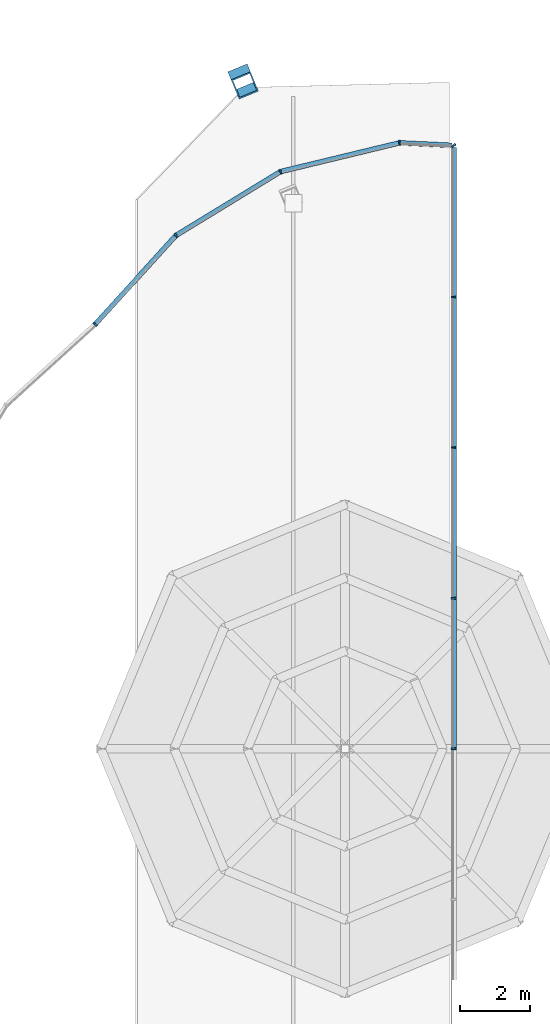
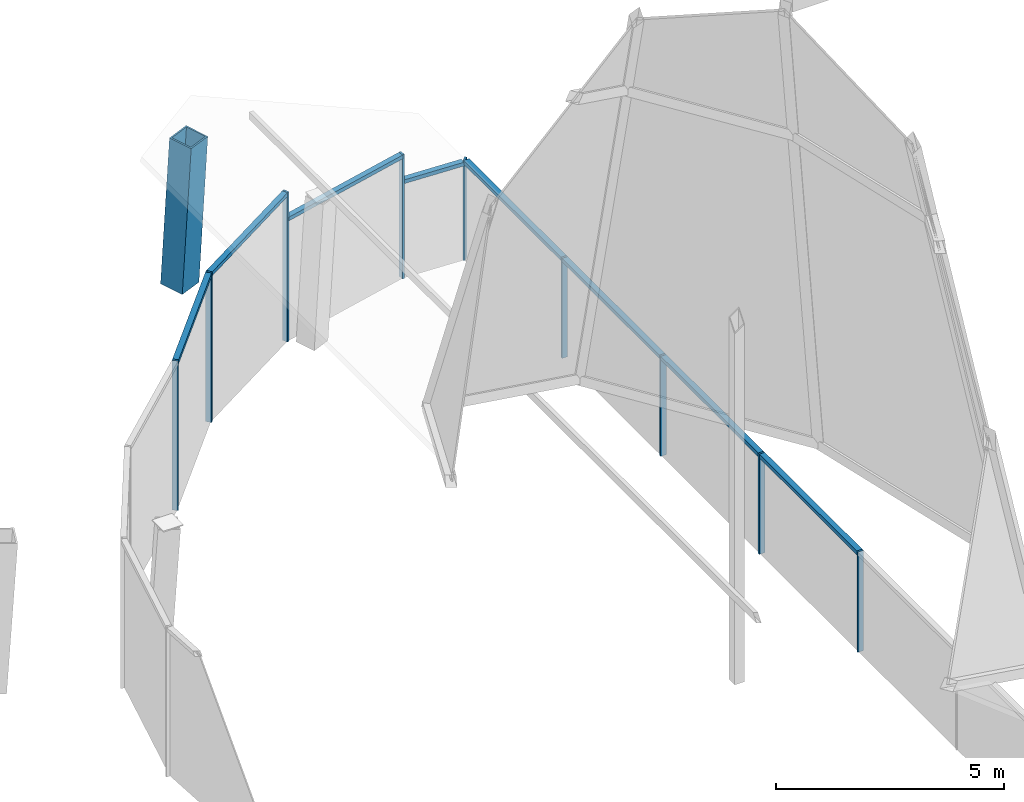
# One storey, part 11 of 16: 18 members, 1 element without a shape of its own.
"""IFC4 building model written with IfcOpenShell, lengths in metres."""

import ifcopenshell
import ifcopenshell.guid

model = None  # the IFC model being written
_history = None  # IfcOwnerHistory: only IFC2X3 demands one
_inside = {}  # id of a spatial element -> (the spatial element, [elements in it])
_under = {}  # id of a project, library or spatial element -> (it, [spatial elements below it])
_declared = {}  # id of a project -> (the project, [libraries it declares])
_typed = {}  # id of a type object -> (the type object, [elements of that type])
_made_of = {}  # id of a material, layer set ... -> (it, [elements and type objects made of it])


def new_model(schema):
    """Start an empty IFC model of exactly this schema.

    Asked for "IFC4X3", IfcOpenShell would pick the latest addendum, in which some entities
    have other attributes; the version numbers below select the first issue.
    IFC2X3 requires an IfcOwnerHistory on every rooted entity: one is made here for all.
    """
    global model, _history
    if schema == "IFC4X3":
        model = ifcopenshell.file(schema_version=(4, 3, 0, 0))
    else:
        model = ifcopenshell.file(schema=schema)
    _inside.clear()
    _under.clear()
    _declared.clear()
    _typed.clear()
    _made_of.clear()
    _history = None
    if model.schema == "IFC2X3":
        org = make("IfcOrganization", Name="unknown")
        user = make(
            "IfcPersonAndOrganization",
            ThePerson=make("IfcPerson", FamilyName="unknown"),
            TheOrganization=org,
        )
        app = make(
            "IfcApplication",
            ApplicationDeveloper=org,
            Version="unknown",
            ApplicationFullName="unknown",
            ApplicationIdentifier="unknown",
        )
        _history = make(
            "IfcOwnerHistory",
            OwningUser=user,
            OwningApplication=app,
            ChangeAction="ADDED",
            CreationDate=0,
        )
    return model


def make(cls, **values):
    """One entity of the class cls with the attributes given. An attribute that is None is left unset."""
    return model.create_entity(
        cls, **{name: value for name, value in values.items() if value is not None}
    )


def rooted(cls, **values):
    """An entity with a GlobalId (a new one), such as an element, a storey or a relation."""
    return make(cls, GlobalId=ifcopenshell.guid.new(), OwnerHistory=_history, **values)


def si_unit(unit_type, name, prefix=None):
    """IfcSIUnit, for example si_unit("LENGTHUNIT", "METRE", prefix="MILLI")."""
    return make("IfcSIUnit", UnitType=unit_type, Prefix=prefix, Name=name)


def assignment(units):
    """IfcUnitAssignment: the units of a project."""
    return None if units is None else make("IfcUnitAssignment", Units=units)


def point(xyz):
    """IfcCartesianPoint."""
    return None if xyz is None else make("IfcCartesianPoint", Coordinates=xyz)


def direction(xyz):
    """IfcDirection."""
    return None if xyz is None else make("IfcDirection", DirectionRatios=xyz)


def frame(location, z_axis=None, x_axis=None):
    """IfcAxis2Placement3D, a coordinate frame: its origin and axes. An axis left out is left unset."""
    return make(
        "IfcAxis2Placement3D",
        Location=point(location),
        Axis=direction(z_axis),
        RefDirection=direction(x_axis),
    )


def frame_2d(location, x_axis=None):
    """IfcAxis2Placement2D, a coordinate frame in the plane: its origin and x axis."""
    return make(
        "IfcAxis2Placement2D", Location=point(location), RefDirection=direction(x_axis)
    )


def origin():
    """The frame at (0, 0, 0) with its axes left unset."""
    return frame((0.0, 0.0, 0.0))


def origin_2d():
    """The frame at (0, 0) in the plane with its x axis left unset."""
    return frame_2d((0.0, 0.0))


def place(relative_to, where):
    """IfcLocalPlacement: puts the frame where relative to a parent placement (None: the world)."""
    return make(
        "IfcLocalPlacement", PlacementRelTo=relative_to, RelativePlacement=where
    )


def context(
    kind, dimensions, precision=None, world=None, true_north=None, identifier=None
):
    """IfcGeometricRepresentationContext, for example the 3D "Model" context."""
    return make(
        "IfcGeometricRepresentationContext",
        ContextIdentifier=identifier,
        ContextType=kind,
        CoordinateSpaceDimension=dimensions,
        Precision=precision,
        WorldCoordinateSystem=world,
        TrueNorth=true_north,
    )


def subcontext(parent, identifier, kind, view, scale=None):
    """IfcGeometricRepresentationSubContext, for example "Body" below "Model"."""
    return make(
        "IfcGeometricRepresentationSubContext",
        ContextIdentifier=identifier,
        ContextType=kind,
        ParentContext=parent,
        TargetScale=scale,
        TargetView=view,
    )


def project(units=None, contexts=None):
    """IfcProject with its units and contexts."""
    return rooted(
        "IfcProject",
        Name="project",
        RepresentationContexts=contexts,
        UnitsInContext=assignment(units),
    )


def spatial(cls, under=None, at=None, **own):
    """A site, building, storey or space (cls), placed at a placement, below another one or the project."""
    s = rooted(cls, ObjectPlacement=at, **own)
    if under is not None:
        _under.setdefault(under.id(), (under, []))[1].append(s)
    return s


def profile(cls, at=None, kind="AREA", **sizes):
    """A parametric profile (cls). Its sizes go by their IFC names, for example OverallWidth=200.0."""
    return make(cls, ProfileType=kind, Position=at, **sizes)


def rectangle(**sizes):
    """IfcRectangleProfileDef."""
    return profile("IfcRectangleProfileDef", **sizes)


def hollow_rectangle(**sizes):
    """IfcRectangleHollowProfileDef."""
    return profile("IfcRectangleHollowProfileDef", **sizes)


def extrude(swept, where, along, depth):
    """IfcExtrudedAreaSolid: the profile swept, set in the frame where, extruded along a direction by depth."""
    return make(
        "IfcExtrudedAreaSolid",
        SweptArea=swept,
        Position=where,
        ExtrudedDirection=direction(along),
        Depth=depth,
    )


def shape(context_of_items, identifier, shape_type, items):
    """IfcShapeRepresentation: the items that make up one representation, for example the "Body"."""
    return make(
        "IfcShapeRepresentation",
        ContextOfItems=context_of_items,
        RepresentationIdentifier=identifier,
        RepresentationType=shape_type,
        Items=items,
    )


def material(Name=None, Category=None):
    """IfcMaterial."""
    return make("IfcMaterial", Name=Name, Category=Category)


def material_profile(
    of_material, cross_section, Name=None, Category=None, Priority=None
):
    """IfcMaterialProfile: a cross section and its material."""
    return make(
        "IfcMaterialProfile",
        Name=Name,
        Material=of_material,
        Profile=cross_section,
        Priority=Priority,
        Category=Category,
    )


def profile_set(profiles, Name=None, composite=None):
    """IfcMaterialProfileSet."""
    return make(
        "IfcMaterialProfileSet",
        Name=Name,
        MaterialProfiles=profiles,
        CompositeProfile=composite,
    )


def made_of(thing, what):
    """Note that an element or type object is made of a material, layer set ...; save() writes the relation."""
    if what is not None:
        _made_of.setdefault(what.id(), (what, []))[1].append(thing)
    return thing


def type_object(cls, material=None, **own):
    """A type object (cls), such as IfcWallType, which elements share."""
    return made_of(rooted(cls, **own), material)


def element(
    cls,
    number,
    at=None,
    inside=None,
    cuts=None,
    type_object=None,
    material=None,
    context=None,
    identifier="Body",
    shape_type=None,
    held_by="IfcProductDefinitionShape",
    body=None,
    shapes=None,
    **own,
):
    """One element of the class cls, such as IfcWall. Its Tag is "e" and its number.

    at: its placement. inside: the storey or other place that contains it. cuts: it is an
    opening in that element (IfcRelVoidsElement). A single representation is given by context,
    identifier, shape_type and body (its items); several are given by shapes. held_by: the class
    of the entity that holds the representations. save() writes the other relations.
    """
    e = rooted(cls, Tag="e%d" % number, ObjectPlacement=at, **own)
    if body is not None:
        shapes = [shape(context, identifier, shape_type, body)]
    if shapes is not None:
        e.Representation = make(held_by, Representations=shapes)
    if inside is not None:
        _inside.setdefault(inside.id(), (inside, []))[1].append(e)
    if cuts is not None:
        rooted(
            "IfcRelVoidsElement", RelatingBuildingElement=cuts, RelatedOpeningElement=e
        )
    if type_object is not None:
        _typed.setdefault(type_object.id(), (type_object, []))[1].append(e)
    return made_of(e, material)


def aggregate(whole, parts):
    """IfcRelAggregates: a whole, such as a stair, and the parts it consists of."""
    return rooted("IfcRelAggregates", RelatingObject=whole, RelatedObjects=parts)


def save(model, path):
    """Write the relations noted so far, then the file.

    IfcRelAggregates (storeys below a building ...), IfcRelContainedInSpatialStructure (elements
    in a storey), IfcRelDefinesByType, IfcRelAssociatesMaterial and IfcRelDeclares: one each for
    every whole, place, type object, material and project.
    """
    for whole, parts in _under.values():
        aggregate(whole, parts)
    for where, things in _inside.values():
        rooted(
            "IfcRelContainedInSpatialStructure",
            RelatedElements=things,
            RelatingStructure=where,
        )
    for kind, things in _typed.values():
        rooted("IfcRelDefinesByType", RelatedObjects=things, RelatingType=kind)
    for what, things in _made_of.values():
        rooted("IfcRelAssociatesMaterial", RelatedObjects=things, RelatingMaterial=what)
    for by, libraries in _declared.values():
        rooted("IfcRelDeclares", RelatingContext=by, RelatedDefinitions=libraries)
    model.write(path)


model = new_model("IFC4")

# Units and contexts
model_context = context("Model", 3, precision=1e-05, world=origin(), true_north=direction((0.0, 1.0)))
body_context = subcontext(model_context, "Body", "Model", "MODEL_VIEW")
ifc_project = project(units=[si_unit("LENGTHUNIT", "METRE"), si_unit("AREAUNIT", "SQUARE_METRE"), si_unit("VOLUMEUNIT", "CUBIC_METRE"), si_unit("PLANEANGLEUNIT", "RADIAN"), si_unit("MASSUNIT", "GRAM", prefix="KILO")], contexts=[model_context])

# Site, building, storey
site_placement = place(None, origin())
site = spatial("IfcSite", under=ifc_project, at=site_placement, CompositionType="ELEMENT")
building_placement = place(site_placement, origin())
building = spatial("IfcBuilding", under=site, at=building_placement, Name="Ogive Gate Towers", CompositionType="ELEMENT")
storey_placement = place(building_placement, frame((0.0, 0.0, 310.0)))
storey = spatial("IfcBuildingStorey", under=building, at=storey_placement, Name="L73", CompositionType="ELEMENT", Elevation=310.0)

# Curtain wall, members
ifc_material_1 = material(Name="Pale metal aluminium", Category="aluminium")
curtain_wall_type = type_object("IfcCurtainWallType", Name="Crown lean wall", PredefinedType="NOTDEFINED", material=ifc_material_1)
curtain_wall_placement = place(storey_placement, origin())
curtain_wall = element("IfcCurtainWall", 1, at=curtain_wall_placement, inside=storey, type_object=curtain_wall_type, Name="CW5 T2 ECW01", PredefinedType="NOTDEFINED")
ifc_material_profile_1 = material_profile(ifc_material_1, rectangle(XDim=0.139892578125, YDim=0.050048828125, at=origin_2d()), Name="50 x 140 aluminium box")
ifc_profile_set_1 = profile_set([ifc_material_profile_1], Name="Pale metal aluminium")
member_type_1 = type_object("IfcMemberType", Name="Crown lean wall mullion 50 x 140", PredefinedType="MULLION", material=ifc_profile_set_1)
member_1_placement = place(storey_placement, frame((23.833251953125, 12.164794921875, -0.300048828125), z_axis=(0.0, 0.0, 1.0), x_axis=(0.739772034167, -0.672857590776, 0.0)))
member_1 = element("IfcMember", 2, at=member_1_placement, type_object=member_type_1, Name="CW5 mullion", PredefinedType="MULLION", context=body_context, shape_type="SweptSolid", body=[
    extrude(rectangle(XDim=0.139892578125, YDim=0.050048828125, at=origin_2d()), origin(), (0.0, 0.0, 1.0), 4.0),
])
member_2_placement = place(storey_placement, frame((26.15234375, 14.714111328125, -0.300048828125), z_axis=(0.0, 0.0, 1.0), x_axis=(0.63691282586, -0.770935828882, 0.0)))
member_2 = element("IfcMember", 3, at=member_2_placement, type_object=member_type_1, Name="CW5 mullion", PredefinedType="MULLION", context=body_context, shape_type="SweptSolid", body=[
    extrude(rectangle(XDim=0.139892578125, YDim=0.050048828125, at=origin_2d()), origin(), (0.0, 0.0, 1.0), 4.0),
])
member_3_placement = place(storey_placement, frame((29.147705078125, 16.543212890625, -0.300048828125), z_axis=(0.0, 0.0, 1.0), x_axis=(0.382683432365, -0.923879532511, 0.0)))
member_3 = element("IfcMember", 4, at=member_3_placement, type_object=member_type_1, Name="CW5 mullion", PredefinedType="MULLION", context=body_context, shape_type="SweptSolid", body=[
    extrude(rectangle(XDim=0.139892578125, YDim=0.050048828125, at=origin_2d()), origin(), (0.0, 0.0, 1.0), 4.0),
])
member_4_placement = place(storey_placement, frame((32.558837890625, 17.367919921875, -0.300048828125), z_axis=(0.0, 0.0, 1.0), x_axis=(0.094768574272, -0.995499330653, 0.0)))
member_4 = element("IfcMember", 5, at=member_4_placement, type_object=member_type_1, Name="CW5 mullion", PredefinedType="MULLION", context=body_context, shape_type="SweptSolid", body=[
    extrude(rectangle(XDim=0.139892578125, YDim=0.050048828125, at=origin_2d()), origin(), (0.0, 0.0, 1.0), 3.318359375),
])
member_5_placement = place(storey_placement, frame((34.10986328125, 17.286376953125, -0.300048828125), z_axis=(0.0, 0.0, 1.0), x_axis=(-0.723642058162, -0.6901754644, 0.0)))
member_5 = element("IfcMember", 6, at=member_5_placement, type_object=member_type_1, Name="CW5 mullion", PredefinedType="MULLION", context=body_context, shape_type="SweptSolid", body=[
    extrude(rectangle(XDim=0.139892578125, YDim=0.050048828125, at=origin_2d()), origin(), (0.0, 0.0, 1.0), 2.679931640625),
])
member_6_placement = place(storey_placement, frame((34.1181640625, 12.94921875, -0.300048828125), z_axis=(0.0, 0.0, 1.0), x_axis=(-1.0, 0.0, 0.0)))
member_6 = element("IfcMember", 7, at=member_6_placement, type_object=member_type_1, Name="CW5 mullion", PredefinedType="MULLION", context=body_context, shape_type="SweptSolid", body=[
    extrude(rectangle(XDim=0.139892578125, YDim=0.050048828125, at=origin_2d()), origin(), (0.0, 0.0, 1.0), 2.679931640625),
])
member_7_placement = place(storey_placement, frame((34.1181640625, 8.6328125, -0.300048828125), z_axis=(0.0, 0.0, 1.0), x_axis=(-1.0, 0.0, 0.0)))
member_7 = element("IfcMember", 8, at=member_7_placement, type_object=member_type_1, Name="CW5 mullion", PredefinedType="MULLION", context=body_context, shape_type="SweptSolid", body=[
    extrude(rectangle(XDim=0.139892578125, YDim=0.050048828125, at=origin_2d()), origin(), (0.0, 0.0, 1.0), 2.679931640625),
])
member_8_placement = place(storey_placement, frame((34.1181640625, 4.31640625, -0.300048828125), z_axis=(0.0, 0.0, 1.0), x_axis=(-1.0, 0.0, 0.0)))
member_8 = element("IfcMember", 9, at=member_8_placement, type_object=member_type_1, Name="CW5 mullion", PredefinedType="MULLION", context=body_context, shape_type="SweptSolid", body=[
    extrude(rectangle(XDim=0.139892578125, YDim=0.050048828125, at=origin_2d()), origin(), (0.0, 0.0, 1.0), 2.679931640625),
])
member_9_placement = place(storey_placement, frame((34.1181640625, 0.0, -0.300048828125), z_axis=(0.0, 0.0, 1.0), x_axis=(-1.0, 0.0, 0.0)))
member_9 = element("IfcMember", 10, at=member_9_placement, type_object=member_type_1, Name="CW5 mullion", PredefinedType="MULLION", context=body_context, shape_type="SweptSolid", body=[
    extrude(rectangle(XDim=0.139892578125, YDim=0.050048828125, at=origin_2d()), origin(), (0.0, 0.0, 1.0), 2.679931640625),
])
ifc_material_profile_2 = material_profile(ifc_material_1, rectangle(XDim=0.139892578125, YDim=0.10009765625, at=origin_2d()), Name="100 x 140 aluminium box")
ifc_profile_set_2 = profile_set([ifc_material_profile_2], Name="Pale metal aluminium")
member_type_2 = type_object("IfcMemberType", Name="Crown lean wall transom 100 x 140", PredefinedType="USERDEFINED", material=ifc_profile_set_2)
member_10_placement = place(storey_placement, frame((23.85009765625, 12.183349609375, 3.64990234375), z_axis=(0.672884128864, 0.739747895653, 0.0), x_axis=(-0.739747895653, 0.672884128864, 0.0)))
member_10 = element("IfcMember", 11, at=member_10_placement, type_object=member_type_2, Name="CW5 transom", ObjectType="TRANSOM", PredefinedType="USERDEFINED", context=body_context, shape_type="SweptSolid", body=[
    extrude(rectangle(XDim=0.139892578125, YDim=0.10009765625, at=origin_2d()), origin(), (0.0, 0.0, 1.0), 3.39208984375),
])
member_11_placement = place(storey_placement, frame((26.17724609375, 14.7294921875, 3.64990234375), z_axis=(0.853414724934, 0.521232488691, 0.0), x_axis=(-0.521232488691, 0.853414724934, 0.0)))
member_11 = element("IfcMember", 12, at=member_11_placement, type_object=member_type_2, Name="CW5 transom", ObjectType="TRANSOM", PredefinedType="USERDEFINED", context=body_context, shape_type="SweptSolid", body=[
    extrude(rectangle(XDim=0.139892578125, YDim=0.10009765625, at=origin_2d()), origin(), (0.0, 0.0, 1.0), 3.45068359375),
])
member_12_placement = place(storey_placement, frame((29.176513671875, 16.550537109375, 2.96826171875), z_axis=(0.972018732922, 0.234903347889, 0.0), x_axis=(-0.234903347889, 0.972018732922, 0.0)))
member_12 = element("IfcMember", 13, at=member_12_placement, type_object=member_type_2, Name="CW5 transom", ObjectType="TRANSOM", PredefinedType="USERDEFINED", context=body_context, shape_type="SweptSolid", body=[
    extrude(rectangle(XDim=0.139892578125, YDim=0.10009765625, at=origin_2d()), origin(), (0.0, 0.0, 1.0), 3.450439453125),
])
member_13_placement = place(storey_placement, frame((32.588134765625, 17.36669921875, 2.285400390625), z_axis=(0.998875971008, -0.047400364365, 0.0), x_axis=(0.047400364365, 0.998875971008, 0.0)))
member_13 = element("IfcMember", 14, at=member_13_placement, type_object=member_type_2, Name="CW5 transom", ObjectType="TRANSOM", PredefinedType="USERDEFINED", context=body_context, shape_type="SweptSolid", body=[
    extrude(rectangle(XDim=0.139892578125, YDim=0.10009765625, at=origin_2d()), origin(), (0.0, 0.0, 1.0), 1.478271484375),
])
member_14_placement = place(storey_placement, frame((34.1181640625, 17.240478515625, 2.330078125), z_axis=(0.0, -1.0, 0.0), x_axis=(1.0, 0.0, 0.0)))
member_14 = element("IfcMember", 15, at=member_14_placement, type_object=member_type_2, Name="CW5 transom", ObjectType="TRANSOM", PredefinedType="USERDEFINED", context=body_context, shape_type="SweptSolid", body=[
    extrude(rectangle(XDim=0.139892578125, YDim=0.10009765625, at=origin_2d()), origin(), (0.0, 0.0, 1.0), 4.266357421875),
])
member_15_placement = place(storey_placement, frame((34.1181640625, 12.92431640625, 2.330078125), z_axis=(0.0, -1.0, 0.0), x_axis=(1.0, 0.0, 0.0)))
member_15 = element("IfcMember", 16, at=member_15_placement, type_object=member_type_2, Name="CW5 transom", ObjectType="TRANSOM", PredefinedType="USERDEFINED", context=body_context, shape_type="SweptSolid", body=[
    extrude(rectangle(XDim=0.139892578125, YDim=0.10009765625, at=origin_2d()), origin(), (0.0, 0.0, 1.0), 4.2666015625),
])
member_16_placement = place(storey_placement, frame((34.1181640625, 8.60791015625, 2.330078125), z_axis=(0.0, -1.0, 0.0), x_axis=(1.0, 0.0, 0.0)))
member_16 = element("IfcMember", 17, at=member_16_placement, type_object=member_type_2, Name="CW5 transom", ObjectType="TRANSOM", PredefinedType="USERDEFINED", context=body_context, shape_type="SweptSolid", body=[
    extrude(rectangle(XDim=0.139892578125, YDim=0.10009765625, at=origin_2d()), origin(), (0.0, 0.0, 1.0), 4.2666015625),
])
member_17_placement = place(storey_placement, frame((34.1181640625, 4.29150390625, 2.330078125), z_axis=(0.0, -1.0, 0.0), x_axis=(1.0, 0.0, 0.0)))
member_17 = element("IfcMember", 18, at=member_17_placement, type_object=member_type_2, Name="CW5 transom", ObjectType="TRANSOM", PredefinedType="USERDEFINED", context=body_context, shape_type="SweptSolid", body=[
    extrude(rectangle(XDim=0.139892578125, YDim=0.10009765625, at=origin_2d()), origin(), (0.0, 0.0, 1.0), 4.2666015625),
])
aggregate(curtain_wall, [member_1, member_2, member_10, member_3, member_11, member_4, member_12, member_5, member_13, member_6, member_14, member_7, member_15, member_8, member_16, member_9, member_17])

# Member
ifc_material_2 = material(Name="Steel SM460", Category="steel")
ifc_material_profile_3 = material_profile(ifc_material_2, hollow_rectangle(XDim=0.60009765625, YDim=0.60009765625, WallThickness=0.0400390625, at=origin_2d()), Name="BX 600x600x40")
ifc_profile_set_3 = profile_set([ifc_material_profile_3], Name="Steel SM460")
member_type_3 = type_object("IfcMemberType", Name="Crown rib BX 600x600x40", PredefinedType="MEMBER", material=ifc_profile_set_3)
member_18_placement = place(storey_placement, frame((28.030029296875, 19.2412109375, 0.0), z_axis=(0.02339375174, -0.056413057581, 0.998133407573), x_axis=(0.923724896159, 0.383056544411, 0.0)))
element("IfcMember", 19, at=member_18_placement, inside=storey, type_object=member_type_3, Name="T2/L73/STR001", PredefinedType="MEMBER", context=body_context, shape_type="SweptSolid", body=[
    extrude(hollow_rectangle(XDim=0.60009765625, YDim=0.60009765625, WallThickness=0.0400390625, at=origin_2d()), origin(), (0.0, 0.0, 1.0), 4.007568359375),
])

save(model, "model.ifc")
